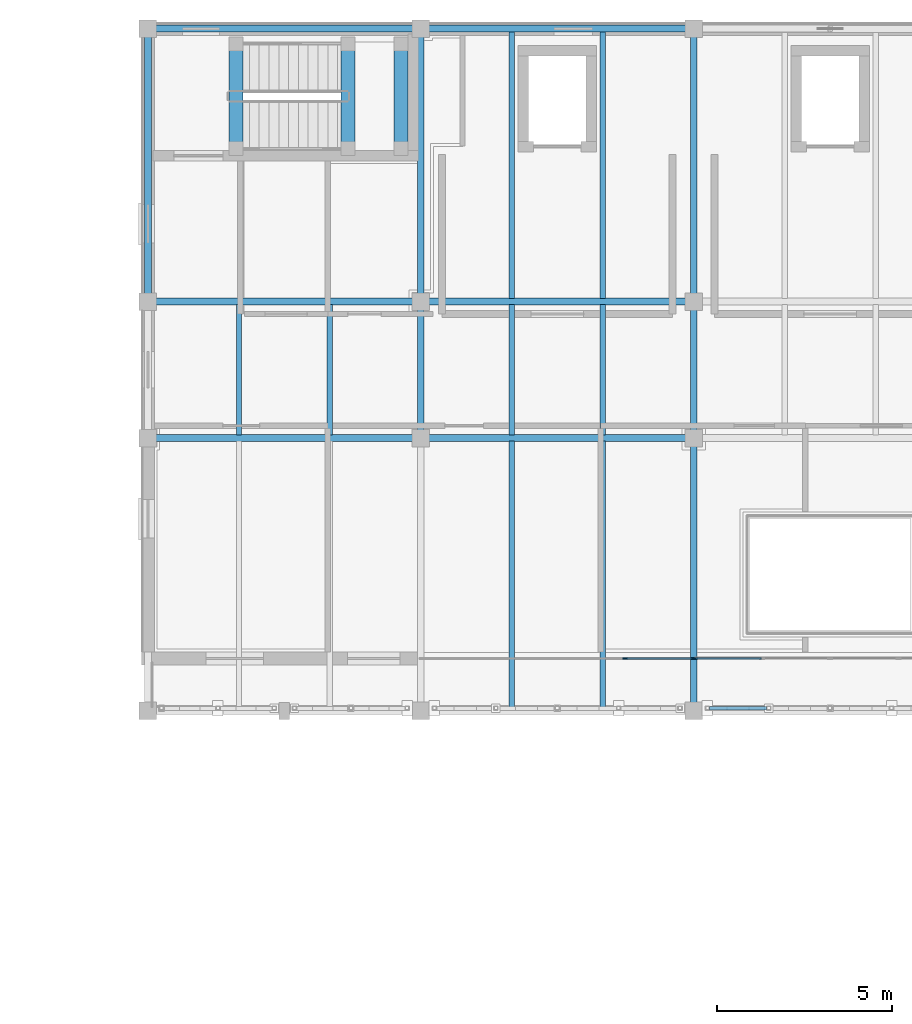
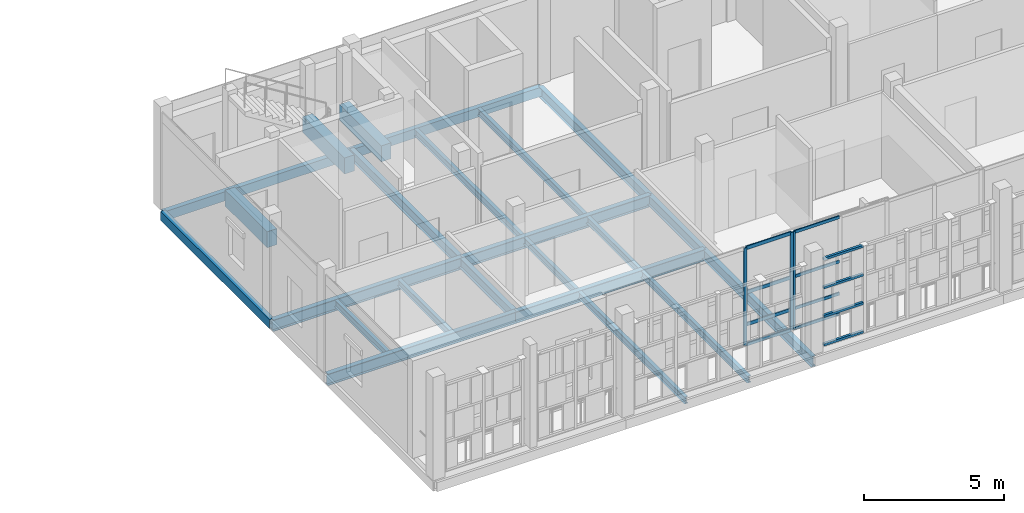
# One storey, part 34 of 89: 23 beams, 15 members, 2 elements without a shape of their own.
"""IFC4 building model written with IfcOpenShell, lengths in metres."""

from ifc_helpers import new_model, si_unit, direction, frame, origin, origin_2d, place, context, subcontext, project, spatial, rectangle, hollow_rectangle, i_section, extrude, material, layer, layer_set, material_profile, profile_set, type_object, element, aggregate, save


model = new_model("IFC4")

# Units and contexts
model_context = context("Model", 3, precision=1e-05, world=origin(), true_north=direction((0.0, 1.0)))
body_context = subcontext(model_context, "Body", "Model", "MODEL_VIEW")
ifc_project = project(units=[si_unit("LENGTHUNIT", "METRE"), si_unit("AREAUNIT", "SQUARE_METRE"), si_unit("VOLUMEUNIT", "CUBIC_METRE"), si_unit("PLANEANGLEUNIT", "RADIAN"), si_unit("MASSUNIT", "GRAM", prefix="KILO")], contexts=[model_context])

# Site, building, storey
site_placement = place(None, origin())
site = spatial("IfcSite", under=ifc_project, at=site_placement, CompositionType="ELEMENT")
building_placement = place(site_placement, origin())
building = spatial("IfcBuilding", under=site, at=building_placement, Name="Celorna Specialist Clinic", CompositionType="ELEMENT")
storey_placement = place(building_placement, frame((0.0, 0.0, 14.10009765625)))
storey = spatial("IfcBuildingStorey", under=building, at=storey_placement, Name="L03", CompositionType="ELEMENT", Elevation=14.10009765625)

# Beams
ifc_material_1 = material(Name="Steel S355", Category="steel")
ifc_material_profile_1 = material_profile(ifc_material_1, i_section(OverallWidth=0.199951171875, OverallDepth=0.5, WebThickness=0.01025390625, FlangeThickness=0.01611328125, at=origin_2d()), Name="IPE 500")
ifc_profile_set_1 = profile_set([ifc_material_profile_1], Name="Steel S355")
beam_type_1 = type_object("IfcBeamType", Name="BM-08", PredefinedType="BEAM", material=ifc_profile_set_1)
beam_1_placement = place(storey_placement, frame((46.800048828125, 104.300048828125, -0.510009765625), z_axis=(1.0, 0.0, 0.0), x_axis=(0.0, 1.0, 0.0)))
element("IfcBeam", 1, at=beam_1_placement, inside=storey, type_object=beam_type_1, Name="Primary girder BM-08 #1212", PredefinedType="BEAM", context=body_context, shape_type="SweptSolid", body=[
    extrude(i_section(OverallWidth=0.199951171875, OverallDepth=0.5, WebThickness=0.01025390625, FlangeThickness=0.01611328125, at=origin_2d()), origin(), (0.0, 0.0, 1.0), 7.800048828125),
])
beam_2_placement = place(storey_placement, frame((54.60009765625, 104.300048828125, -0.510009765625), z_axis=(1.0, 0.0, 0.0), x_axis=(0.0, 1.0, 0.0)))
element("IfcBeam", 2, at=beam_2_placement, inside=storey, type_object=beam_type_1, Name="Primary girder BM-08 #1213", PredefinedType="BEAM", context=body_context, shape_type="SweptSolid", body=[
    extrude(i_section(OverallWidth=0.199951171875, OverallDepth=0.5, WebThickness=0.01025390625, FlangeThickness=0.01611328125, at=origin_2d()), origin(), (0.0, 0.0, 1.0), 7.7998046875),
])
beam_3_placement = place(storey_placement, frame((46.800048828125, 108.199951171875, -0.510009765625), z_axis=(1.0, 0.0, 0.0), x_axis=(0.0, 1.0, 0.0)))
element("IfcBeam", 3, at=beam_3_placement, inside=storey, type_object=beam_type_1, Name="Primary girder BM-08 #1223", PredefinedType="BEAM", context=body_context, shape_type="SweptSolid", body=[
    extrude(i_section(OverallWidth=0.199951171875, OverallDepth=0.5, WebThickness=0.01025390625, FlangeThickness=0.01611328125, at=origin_2d()), origin(), (0.0, 0.0, 1.0), 7.800048828125),
])
beam_4_placement = place(storey_placement, frame((54.60009765625, 108.199951171875, -0.510009765625), z_axis=(1.0, 0.0, 0.0), x_axis=(0.0, 1.0, 0.0)))
element("IfcBeam", 4, at=beam_4_placement, inside=storey, type_object=beam_type_1, Name="Primary girder BM-08 #1224", PredefinedType="BEAM", context=body_context, shape_type="SweptSolid", body=[
    extrude(i_section(OverallWidth=0.199951171875, OverallDepth=0.5, WebThickness=0.01025390625, FlangeThickness=0.01611328125, at=origin_2d()), origin(), (0.0, 0.0, 1.0), 7.7998046875),
])
ifc_material_profile_2 = material_profile(ifc_material_1, i_section(OverallWidth=0.18994140625, OverallDepth=0.449951171875, WebThickness=0.009521484375, FlangeThickness=0.0146484375, at=origin_2d()), Name="IPE 450")
ifc_profile_set_2 = profile_set([ifc_material_profile_2], Name="Steel S355")
beam_type_2 = type_object("IfcBeamType", Name="BM-09", PredefinedType="BEAM", material=ifc_profile_set_2)
beam_5_placement = place(storey_placement, frame((54.60009765625, 104.300048828125, -0.485107421875), z_axis=(0.0, 1.0, 0.0), x_axis=(-1.0, 0.0, 0.0)))
element("IfcBeam", 5, at=beam_5_placement, inside=storey, type_object=beam_type_2, Name="Transverse girder BM-09 #1249", PredefinedType="BEAM", context=body_context, shape_type="SweptSolid", body=[
    extrude(i_section(OverallWidth=0.18994140625, OverallDepth=0.449951171875, WebThickness=0.009521484375, FlangeThickness=0.0146484375, at=origin_2d()), origin(), (0.0, 0.0, 1.0), 3.89990234375),
])
for number, where, z_axis, x_axis, name in (
    (6, (54.60009765625, 108.199951171875, -0.485107421875), (0.0, 1.0, 0.0), (-1.0, 0.0, 0.0), "Transverse girder BM-09 #1250"),
    (7, (62.39990234375, 96.5, -0.485107421875), (0.0, 1.0, 0.0), (-1.0, 0.0, 0.0), "Transverse girder BM-09 #1251"),
):
    element("IfcBeam", number, at=place(storey_placement, frame(where, z_axis=z_axis, x_axis=x_axis)), inside=storey, type_object=beam_type_2, Name=name, PredefinedType="BEAM", context=body_context, shape_type="SweptSolid", body=[
        extrude(i_section(OverallWidth=0.18994140625, OverallDepth=0.449951171875, WebThickness=0.009521484375, FlangeThickness=0.0146484375, at=origin_2d()), origin(), (0.0, 0.0, 1.0), 7.800048828125),
    ])
beam_6_placement = place(storey_placement, frame((62.39990234375, 104.300048828125, -0.485107421875), z_axis=(0.0, 1.0, 0.0), x_axis=(-1.0, 0.0, 0.0)))
element("IfcBeam", 8, at=beam_6_placement, inside=storey, type_object=beam_type_2, Name="Transverse girder BM-09 #1252", PredefinedType="BEAM", context=body_context, shape_type="SweptSolid", body=[
    extrude(i_section(OverallWidth=0.18994140625, OverallDepth=0.449951171875, WebThickness=0.009521484375, FlangeThickness=0.0146484375, at=origin_2d()), origin(), (0.0, 0.0, 1.0), 3.89990234375),
])
beam_7_placement = place(storey_placement, frame((62.39990234375, 108.199951171875, -0.485107421875), z_axis=(0.0, 1.0, 0.0), x_axis=(-1.0, 0.0, 0.0)))
element("IfcBeam", 9, at=beam_7_placement, inside=storey, type_object=beam_type_2, Name="Transverse girder BM-09 #1253", PredefinedType="BEAM", context=body_context, shape_type="SweptSolid", body=[
    extrude(i_section(OverallWidth=0.18994140625, OverallDepth=0.449951171875, WebThickness=0.009521484375, FlangeThickness=0.0146484375, at=origin_2d()), origin(), (0.0, 0.0, 1.0), 7.800048828125),
])
ifc_material_profile_3 = material_profile(ifc_material_1, i_section(OverallWidth=0.14990234375, OverallDepth=0.300048828125, WebThickness=0.007080078125, FlangeThickness=0.0107421875, at=origin_2d()), Name="IPE 300")
ifc_profile_set_3 = profile_set([ifc_material_profile_3], Name="Steel S355")
beam_type_3 = type_object("IfcBeamType", Name="BM-13", PredefinedType="JOIST", material=ifc_profile_set_3)
for number, where, z_axis, x_axis, name in (
    (10, (49.39990234375, 104.387939453125, -0.41015625), (0.0, 1.0, 0.0), (-1.0, 0.0, 0.0), "Secondary floor joist BM-13 #1283"),
    (11, (52.0, 104.387939453125, -0.41015625), (0.0, 1.0, 0.0), (-1.0, 0.0, 0.0), "Secondary floor joist BM-13 #1284"),
):
    element("IfcBeam", number, at=place(storey_placement, frame(where, z_axis=z_axis, x_axis=x_axis)), inside=storey, type_object=beam_type_3, Name=name, PredefinedType="JOIST", context=body_context, shape_type="SweptSolid", body=[
        extrude(i_section(OverallWidth=0.14990234375, OverallDepth=0.300048828125, WebThickness=0.007080078125, FlangeThickness=0.0107421875, at=origin_2d()), origin(), (0.0, 0.0, 1.0), 3.72412109375),
    ])
for number, where, z_axis, x_axis, name in (
    (12, (57.199951171875, 96.587890625, -0.41015625), (0.0, 1.0, 0.0), (-1.0, 0.0, 0.0), "Secondary floor joist BM-13 #1285"),
    (13, (59.800048828125, 96.587890625, -0.41015625), (0.0, 1.0, 0.0), (-1.0, 0.0, 0.0), "Secondary floor joist BM-13 #1286"),
):
    element("IfcBeam", number, at=place(storey_placement, frame(where, z_axis=z_axis, x_axis=x_axis)), inside=storey, type_object=beam_type_3, Name=name, PredefinedType="JOIST", context=body_context, shape_type="SweptSolid", body=[
        extrude(i_section(OverallWidth=0.14990234375, OverallDepth=0.300048828125, WebThickness=0.007080078125, FlangeThickness=0.0107421875, at=origin_2d()), origin(), (0.0, 0.0, 1.0), 7.6240234375),
    ])
for number, where, z_axis, x_axis, name in (
    (14, (57.199951171875, 104.387939453125, -0.41015625), (0.0, 1.0, 0.0), (-1.0, 0.0, 0.0), "Secondary floor joist BM-13 #1287"),
    (15, (59.800048828125, 104.387939453125, -0.41015625), (0.0, 1.0, 0.0), (-1.0, 0.0, 0.0), "Secondary floor joist BM-13 #1288"),
):
    element("IfcBeam", number, at=place(storey_placement, frame(where, z_axis=z_axis, x_axis=x_axis)), inside=storey, type_object=beam_type_3, Name=name, PredefinedType="JOIST", context=body_context, shape_type="SweptSolid", body=[
        extrude(i_section(OverallWidth=0.14990234375, OverallDepth=0.300048828125, WebThickness=0.007080078125, FlangeThickness=0.0107421875, at=origin_2d()), origin(), (0.0, 0.0, 1.0), 3.72412109375),
    ])
for number, where, z_axis, x_axis, name in (
    (16, (57.199951171875, 108.2880859375, -0.41015625), (0.0, 1.0, 0.0), (-1.0, 0.0, 0.0), "Secondary floor joist BM-13 #1289"),
    (17, (59.800048828125, 108.2880859375, -0.41015625), (0.0, 1.0, 0.0), (-1.0, 0.0, 0.0), "Secondary floor joist BM-13 #1290"),
):
    element("IfcBeam", number, at=place(storey_placement, frame(where, z_axis=z_axis, x_axis=x_axis)), inside=storey, type_object=beam_type_3, Name=name, PredefinedType="JOIST", context=body_context, shape_type="SweptSolid", body=[
        extrude(i_section(OverallWidth=0.14990234375, OverallDepth=0.300048828125, WebThickness=0.007080078125, FlangeThickness=0.0107421875, at=origin_2d()), origin(), (0.0, 0.0, 1.0), 7.6240234375),
    ])
ifc_material_profile_4 = material_profile(ifc_material_1, hollow_rectangle(XDim=0.199951171875, YDim=0.39990234375, WallThickness=0.011962890625, at=origin_2d()), Name="RHS 200x400x12")
ifc_profile_set_4 = profile_set([ifc_material_profile_4], Name="Steel S355")
beam_type_4 = type_object("IfcBeamType", Name="BM-15", PredefinedType="SPANDREL", material=ifc_profile_set_4)
beam_8_placement = place(storey_placement, frame((46.800048828125, 116.0, -0.460205078125), z_axis=(1.0, 0.0, 0.0), x_axis=(0.0, 1.0, 0.0)))
element("IfcBeam", 18, at=beam_8_placement, inside=storey, type_object=beam_type_4, Name="Spandrel beam BM-15 #1234", PredefinedType="SPANDREL", context=body_context, shape_type="SweptSolid", body=[
    extrude(hollow_rectangle(XDim=0.199951171875, YDim=0.39990234375, WallThickness=0.011962890625, at=origin_2d()), origin(), (0.0, 0.0, 1.0), 7.800048828125),
])
beam_9_placement = place(storey_placement, frame((54.60009765625, 116.0, -0.460205078125), z_axis=(1.0, 0.0, 0.0), x_axis=(0.0, 1.0, 0.0)))
element("IfcBeam", 19, at=beam_9_placement, inside=storey, type_object=beam_type_4, Name="Spandrel beam BM-15 #1235", PredefinedType="SPANDREL", context=body_context, shape_type="SweptSolid", body=[
    extrude(hollow_rectangle(XDim=0.199951171875, YDim=0.39990234375, WallThickness=0.011962890625, at=origin_2d()), origin(), (0.0, 0.0, 1.0), 7.7998046875),
])
beam_10_placement = place(storey_placement, frame((46.800048828125, 108.199951171875, -0.460205078125), z_axis=(0.0, 1.0, 0.0), x_axis=(-1.0, 0.0, 0.0)))
element("IfcBeam", 20, at=beam_10_placement, inside=storey, type_object=beam_type_4, Name="Spandrel beam BM-15 #1247", PredefinedType="SPANDREL", context=body_context, shape_type="SweptSolid", body=[
    extrude(hollow_rectangle(XDim=0.199951171875, YDim=0.39990234375, WallThickness=0.011962890625, at=origin_2d()), origin(), (0.0, 0.0, 1.0), 7.800048828125),
])
ifc_material_2 = material(Name="Concrete C35/45", Category="concrete")
ifc_material_profile_5 = material_profile(ifc_material_2, rectangle(XDim=0.39990234375, YDim=0.699951171875, at=origin_2d()), Name="RC 400x700")
ifc_profile_set_5 = profile_set([ifc_material_profile_5], Name="Concrete C35/45")
beam_type_5 = type_object("IfcBeamType", Name="BM-19", PredefinedType="BEAM", material=ifc_profile_set_5)
for number, where, z_axis, x_axis, name in (
    (21, (49.320068359375, 112.570068359375, -0.275146484375), (0.0, 1.0, 0.0), (-1.0, 0.0, 0.0), "Stair ST-01 floor landing trimmer beam L03"),
    (22, (52.52001953125, 112.570068359375, 1.824951171875), (0.0, 1.0, 0.0), (-1.0, 0.0, 0.0), "Stair ST-01 half-landing beam L03"),
    (23, (54.0400390625, 112.570068359375, 1.824951171875), (0.0, 1.0, 0.0), (-1.0, 0.0, 0.0), "Stair ST-01 half-landing beam L03"),
):
    element("IfcBeam", number, at=place(storey_placement, frame(where, z_axis=z_axis, x_axis=x_axis)), inside=storey, type_object=beam_type_5, Name=name, PredefinedType="BEAM", context=body_context, shape_type="SweptSolid", body=[
        extrude(rectangle(XDim=0.39990234375, YDim=0.699951171875, at=origin_2d()), origin(), (0.0, 0.0, 1.0), 3.0),
    ])

# Members
ifc_material_profile_6 = material_profile(ifc_material_1, hollow_rectangle(XDim=0.10009765625, YDim=0.10009765625, WallThickness=0.006103515625, at=origin_2d()), Name="SHS 100x100x6")
ifc_profile_set_6 = profile_set([ifc_material_profile_6], Name="Steel S355")
member_type_1 = type_object("IfcMemberType", Name="MB-12", PredefinedType="STUD", material=ifc_profile_set_6)
for number, where, z_axis, x_axis, name in (
    (24, (62.85009765625, 96.580078125, 0.0498046875), (1.0, 0.0, 0.0), (0.0, 1.0, 0.0), "Perforated screen rail #1278"),
    (25, (62.85009765625, 96.580078125, 1.296630859375), (1.0, 0.0, 0.0), (0.0, 1.0, 0.0), "Perforated screen rail #1279"),
    (26, (62.85009765625, 96.580078125, 2.543212890625), (1.0, 0.0, 0.0), (0.0, 1.0, 0.0), "Perforated screen rail #1280"),
    (27, (62.85009765625, 96.580078125, 3.789794921875), (1.0, 0.0, 0.0), (0.0, 1.0, 0.0), "Perforated screen rail #1281"),
):
    element("IfcMember", number, at=place(storey_placement, frame(where, z_axis=z_axis, x_axis=x_axis)), inside=storey, type_object=member_type_1, Name=name, PredefinedType="STUD", context=body_context, shape_type="SweptSolid", body=[
        extrude(hollow_rectangle(XDim=0.10009765625, YDim=0.10009765625, WallThickness=0.006103515625, at=origin_2d()), origin(), (0.0, 0.0, 1.0), 1.635009765625),
    ])

# Curtain wall, member
ifc_material_3 = material(Name="Thermally broken aluminium and solar-control glass curtain wall", Category="aluminium")
ifc_layer_1 = layer(ifc_material_3, 0.159912109375, Name="Thermally broken aluminium and solar-control glass curtain wall")
ifc_layer_set_1 = layer_set([ifc_layer_1], Name="Thermally broken aluminium and solar-control glass curtain wall")
curtain_wall_type_1 = type_object("IfcCurtainWallType", Name="CW-70", PredefinedType="NOTDEFINED", material=ifc_layer_set_1)
curtain_wall_1_placement = place(storey_placement, origin())
curtain_wall_1 = element("IfcCurtainWall", 28, at=curtain_wall_1_placement, inside=storey, type_object=curtain_wall_type_1, Name="Curtain wall CW-70 #130", PredefinedType="NOTDEFINED")
ifc_material_4 = material(Name="Anodized aluminium mullion", Category="aluminium")
ifc_material_profile_7 = material_profile(ifc_material_4, rectangle(XDim=0.050048828125, YDim=0.159912109375, at=origin_2d()), Name="ALU MULLION 50x160")
ifc_profile_set_7 = profile_set([ifc_material_profile_7], Name="Anodized aluminium mullion")
member_type_2 = type_object("IfcMemberType", Name="ML-01", PredefinedType="MULLION", material=ifc_profile_set_7)
member_1_placement = place(storey_placement, frame((62.428955078125, 98.0, 0.0), z_axis=(0.0, 0.0, 1.0), x_axis=(0.0, -1.0, 0.0)))
member_1 = element("IfcMember", 29, at=member_1_placement, type_object=member_type_2, Name="CW-70 mullion 5", PredefinedType="MULLION", context=body_context, shape_type="SweptSolid", body=[
    extrude(rectangle(XDim=0.050048828125, YDim=0.159912109375, at=origin_2d()), origin(), (0.0, 0.0, 1.0), 4.260009765625),
])

# Curtain wall, members
ifc_layer_2 = layer(ifc_material_3, 0.159912109375, Name="Thermally broken aluminium and solar-control glass curtain wall")
ifc_layer_set_2 = layer_set([ifc_layer_2], Name="Thermally broken aluminium and solar-control glass curtain wall")
curtain_wall_type_2 = type_object("IfcCurtainWallType", Name="CW-69", PredefinedType="NOTDEFINED", material=ifc_layer_set_2)
curtain_wall_2_placement = place(storey_placement, origin())
curtain_wall_2 = element("IfcCurtainWall", 30, at=curtain_wall_2_placement, inside=storey, type_object=curtain_wall_type_2, Name="Curtain wall CW-69 #129", PredefinedType="NOTDEFINED")
ifc_material_profile_8 = material_profile(ifc_material_4, rectangle(XDim=0.050048828125, YDim=0.139892578125, at=origin_2d()), Name="ALU MULLION 50x140")
ifc_profile_set_8 = profile_set([ifc_material_profile_8], Name="Anodized aluminium mullion")
member_type_3 = type_object("IfcMemberType", Name="ML-03", PredefinedType="MULLION", material=ifc_profile_set_8)
member_2_placement = place(storey_placement, frame((62.37109375, 98.0, 0.0), z_axis=(0.0, 0.0, 1.0), x_axis=(0.0, -1.0, 0.0)))
member_2 = element("IfcMember", 31, at=member_2_placement, type_object=member_type_3, Name="CW-69 mullion 1", PredefinedType="MULLION", context=body_context, shape_type="SweptSolid", body=[
    extrude(rectangle(XDim=0.050048828125, YDim=0.139892578125, at=origin_2d()), origin(), (0.0, 0.0, 1.0), 4.260009765625),
])
member_3_placement = place(storey_placement, frame((60.447998046875, 98.0, 0.0), z_axis=(0.0, 0.0, 1.0), x_axis=(0.0, -1.0, 0.0)))
member_3 = element("IfcMember", 32, at=member_3_placement, type_object=member_type_3, Name="CW-69 mullion 2", PredefinedType="MULLION", context=body_context, shape_type="SweptSolid", body=[
    extrude(rectangle(XDim=0.050048828125, YDim=0.139892578125, at=origin_2d()), origin(), (0.0, 0.0, 1.0), 4.260009765625),
])

# Member
ifc_material_5 = material(Name="Anodized aluminium transom", Category="aluminium")
ifc_material_profile_9 = material_profile(ifc_material_5, rectangle(XDim=0.050048828125, YDim=0.1298828125, at=origin_2d()), Name="ALU TRANSOM 50x130")
ifc_profile_set_9 = profile_set([ifc_material_profile_9], Name="Anodized aluminium transom")
member_type_4 = type_object("IfcMemberType", Name="TR-01", PredefinedType="USERDEFINED", material=ifc_profile_set_9)
member_4_placement = place(storey_placement, frame((64.326904296875, 98.0, 0.02490234375), z_axis=(-1.0, 0.0, 0.0), x_axis=(0.0, -1.0, 0.0)))
member_4 = element("IfcMember", 33, at=member_4_placement, type_object=member_type_4, Name="CW-70 transom 4.1", ObjectType="TRANSOM", PredefinedType="USERDEFINED", context=body_context, shape_type="SweptSolid", body=[
    extrude(rectangle(XDim=0.050048828125, YDim=0.1298828125, at=origin_2d()), origin(), (0.0, 0.0, 1.0), 1.872802734375),
])

member_5_placement = place(storey_placement, frame((64.326904296875, 98.0, 0.89990234375), z_axis=(-1.0, 0.0, 0.0), x_axis=(0.0, -1.0, 0.0)))
member_5 = element("IfcMember", 34, at=member_5_placement, type_object=member_type_4, Name="CW-70 transom 4.2", ObjectType="TRANSOM", PredefinedType="USERDEFINED", context=body_context, shape_type="SweptSolid", body=[
    extrude(rectangle(XDim=0.050048828125, YDim=0.1298828125, at=origin_2d()), origin(), (0.0, 0.0, 1.0), 1.872802734375),
])

member_6_placement = place(storey_placement, frame((64.326904296875, 98.0, 2.2998046875), z_axis=(-1.0, 0.0, 0.0), x_axis=(0.0, -1.0, 0.0)))
member_6 = element("IfcMember", 35, at=member_6_placement, type_object=member_type_4, Name="CW-70 transom 4.3", ObjectType="TRANSOM", PredefinedType="USERDEFINED", context=body_context, shape_type="SweptSolid", body=[
    extrude(rectangle(XDim=0.050048828125, YDim=0.1298828125, at=origin_2d()), origin(), (0.0, 0.0, 1.0), 1.872802734375),
])

member_7_placement = place(storey_placement, frame((64.326904296875, 98.0, 4.23486328125), z_axis=(-1.0, 0.0, 0.0), x_axis=(0.0, -1.0, 0.0)))
member_7 = element("IfcMember", 36, at=member_7_placement, type_object=member_type_4, Name="CW-70 transom 4.4", ObjectType="TRANSOM", PredefinedType="USERDEFINED", context=body_context, shape_type="SweptSolid", body=[
    extrude(rectangle(XDim=0.050048828125, YDim=0.1298828125, at=origin_2d()), origin(), (0.0, 0.0, 1.0), 1.872802734375),
])

aggregate(curtain_wall_1, [member_1, member_4, member_5, member_6, member_7])

ifc_material_profile_10 = material_profile(ifc_material_5, rectangle(XDim=0.050048828125, YDim=0.14990234375, at=origin_2d()), Name="ALU TRANSOM 50x150")
ifc_profile_set_10 = profile_set([ifc_material_profile_10], Name="Anodized aluminium transom")
member_type_5 = type_object("IfcMemberType", Name="TR-02", PredefinedType="USERDEFINED", material=ifc_profile_set_10)
member_8_placement = place(storey_placement, frame((62.345947265625, 98.0, 0.02490234375), z_axis=(-1.0, 0.0, 0.0), x_axis=(0.0, -1.0, 0.0)))
member_8 = element("IfcMember", 37, at=member_8_placement, type_object=member_type_5, Name="CW-69 transom 1.1", ObjectType="TRANSOM", PredefinedType="USERDEFINED", context=body_context, shape_type="SweptSolid", body=[
    extrude(rectangle(XDim=0.050048828125, YDim=0.14990234375, at=origin_2d()), origin(), (0.0, 0.0, 1.0), 1.873046875),
])

member_9_placement = place(storey_placement, frame((62.345947265625, 98.0, 0.89990234375), z_axis=(-1.0, 0.0, 0.0), x_axis=(0.0, -1.0, 0.0)))
member_9 = element("IfcMember", 38, at=member_9_placement, type_object=member_type_5, Name="CW-69 transom 1.2", ObjectType="TRANSOM", PredefinedType="USERDEFINED", context=body_context, shape_type="SweptSolid", body=[
    extrude(rectangle(XDim=0.050048828125, YDim=0.14990234375, at=origin_2d()), origin(), (0.0, 0.0, 1.0), 1.873046875),
])

member_10_placement = place(storey_placement, frame((62.345947265625, 98.0, 2.2998046875), z_axis=(-1.0, 0.0, 0.0), x_axis=(0.0, -1.0, 0.0)))
member_10 = element("IfcMember", 39, at=member_10_placement, type_object=member_type_5, Name="CW-69 transom 1.3", ObjectType="TRANSOM", PredefinedType="USERDEFINED", context=body_context, shape_type="SweptSolid", body=[
    extrude(rectangle(XDim=0.050048828125, YDim=0.14990234375, at=origin_2d()), origin(), (0.0, 0.0, 1.0), 1.873046875),
])

member_11_placement = place(storey_placement, frame((62.345947265625, 98.0, 4.23486328125), z_axis=(-1.0, 0.0, 0.0), x_axis=(0.0, -1.0, 0.0)))
member_11 = element("IfcMember", 40, at=member_11_placement, type_object=member_type_5, Name="CW-69 transom 1.4", ObjectType="TRANSOM", PredefinedType="USERDEFINED", context=body_context, shape_type="SweptSolid", body=[
    extrude(rectangle(XDim=0.050048828125, YDim=0.14990234375, at=origin_2d()), origin(), (0.0, 0.0, 1.0), 1.873046875),
])

aggregate(curtain_wall_2, [member_2, member_3, member_8, member_9, member_10, member_11])

save(model, "model.ifc")
